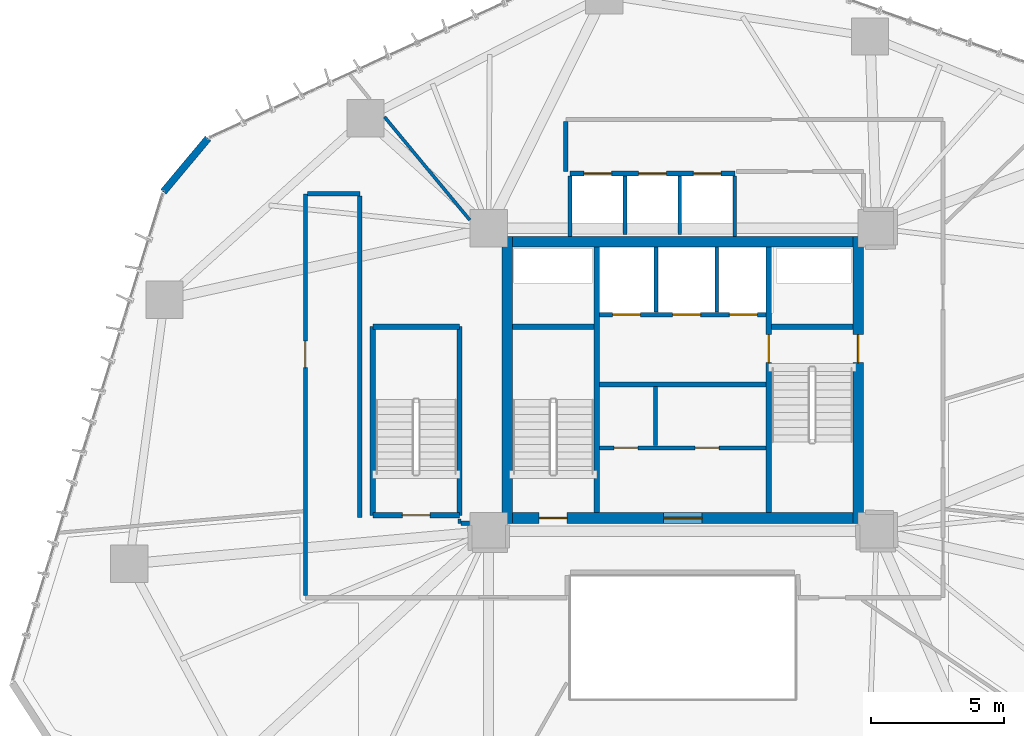
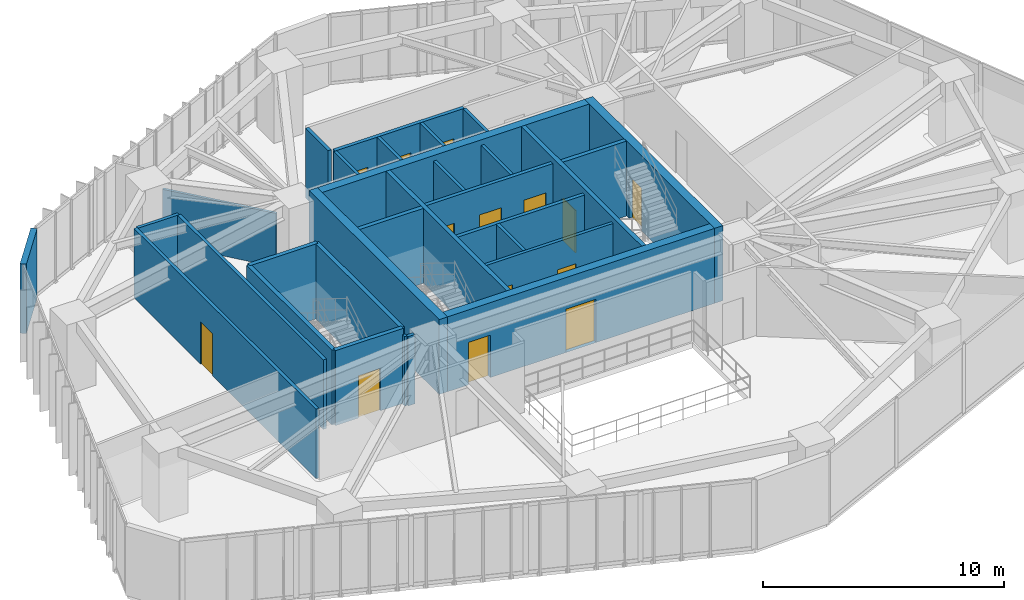
# One storey, part 19 of 24: 31 walls, 14 doors, 14 openings.
"""IFC4 building model written with IfcOpenShell, lengths in metres."""

from ifc_helpers import new_model, si_unit, direction, frame, frame_2d, origin, place, context, subcontext, project, spatial, rectangle, extrude, source, transform, mapped, material, layer, layer_set, type_object, type_shapes, element, fill, save


model = new_model("IFC4")

# Units and contexts
model_context = context("Model", 3, precision=1e-05, world=origin(), true_north=direction((0.0, 1.0)))
body_context = subcontext(model_context, "Body", "Model", "MODEL_VIEW")
ifc_project = project(units=[si_unit("LENGTHUNIT", "METRE"), si_unit("AREAUNIT", "SQUARE_METRE"), si_unit("VOLUMEUNIT", "CUBIC_METRE"), si_unit("PLANEANGLEUNIT", "RADIAN"), si_unit("MASSUNIT", "GRAM", prefix="KILO")], contexts=[model_context])

# Site, building, storey
site_placement = place(None, origin())
site = spatial("IfcSite", under=ifc_project, at=site_placement, CompositionType="ELEMENT")
building_placement = place(site_placement, origin())
building = spatial("IfcBuilding", under=site, at=building_placement, Name="Talar Marvaseh", CompositionType="ELEMENT")
storey_placement = place(building_placement, frame((0.0, 0.0, 31.60009765625)))
storey = spatial("IfcBuildingStorey", under=building, at=storey_placement, Name="L07", CompositionType="ELEMENT", Elevation=31.60009765625)

# Wall
ifc_material_1 = material(Name="Precast concrete C45/55", Category="concrete")
ifc_layer_1 = layer(ifc_material_1, 0.27001953125)
ifc_layer_set_1 = layer_set([ifc_layer_1], Name="Precast concrete C45/55")
wall_type_1 = type_object("IfcWallType", Name="Chamfered Hexagonal Corner Pier Wall Z1 270", PredefinedType="SOLIDWALL", material=ifc_layer_set_1)
wall_1_placement = place(storey_placement, frame((6.457275390625, 38.270263671875, 0.0), z_axis=(0.0, 0.0, 1.0), x_axis=(0.641090144817, 0.767465586341, 0.0)))
element("IfcWall", 1, at=wall_1_placement, inside=storey, type_object=wall_type_1, Name="L07 Chamfered Corner Limestone Pier 2", PredefinedType="SOLIDWALL", context=body_context, shape_type="SweptSolid", body=[
    extrude(rectangle(XDim=2.62353515625, YDim=0.27001953125, at=frame_2d((1.311767578125, 0.0))), origin(), (0.0, 0.0, 1.0), 3.52001953125),
])

# Wall, openings, doors
ifc_material_2 = material(Name="Gypsum Board Partition Assembly")
ifc_layer_2 = layer(ifc_material_2, 0.155029296875)
ifc_layer_set_2 = layer_set([ifc_layer_2], Name="Gypsum Board Partition Assembly")
wall_type_2 = type_object("IfcWallType", Name="Corridor Fire-Rated Acoustic Partition 155", PredefinedType="PARTITIONING", material=ifc_layer_set_2)
wall_2_placement = place(storey_placement, frame((22.865966796875, 28.639892578125, 0.0), z_axis=(0.0, 0.0, 1.0), x_axis=(1.0, 0.0, 0.0)))
wall_2 = element("IfcWall", 2, at=wall_2_placement, inside=storey, type_object=wall_type_2, Name="L07 Core BOH Partition", PredefinedType="PARTITIONING", context=body_context, shape_type="SweptSolid", body=[
    extrude(rectangle(XDim=6.26806640625, YDim=0.155029296875, at=frame_2d((3.134033203125, 0.0))), origin(), (0.0, 0.0, 1.0), 3.52001953125),
])
opening_1_placement = place(wall_2_placement, frame((0.550048828125, 0.0, 0.0)))
opening_1 = element("IfcOpeningElement", 3, at=opening_1_placement, cuts=wall_2, Name="Opening DR-BOH090", PredefinedType="OPENING", context=body_context, shape_type="SweptSolid", body=[
    extrude(rectangle(XDim=0.89990234375, YDim=2.10009765625, at=frame_2d((0.449951171875, 1.050048828125))), frame((0.0, 0.08740234375, 0.0), z_axis=(0.0, -1.0, 0.0), x_axis=(1.0, 0.0, 0.0)), (0.0, 0.0, 1.0), 0.175048828125),
])
opening_2_placement = place(wall_2_placement, frame((3.60009765625, 0.0, 0.0)))
opening_2 = element("IfcOpeningElement", 4, at=opening_2_placement, cuts=wall_2, Name="Opening DR-BOH090", PredefinedType="OPENING", context=body_context, shape_type="SweptSolid", body=[
    extrude(rectangle(XDim=0.89990234375, YDim=2.10009765625, at=frame_2d((0.449951171875, 1.050048828125))), frame((0.0, 0.08740234375, 0.0), z_axis=(0.0, -1.0, 0.0), x_axis=(1.0, 0.0, 0.0)), (0.0, 0.0, 1.0), 0.175048828125),
])
ifc_material_3 = material(Name="Fire-Rated Steel Door Leaf", Category="steel")
door_type_1 = type_object("IfcDoorType", Name="Core Back-of-House Service Door 900x2100", OperationType="NOTDEFINED", PredefinedType="DOOR", material=ifc_material_3)
shared_shape_1 = source(origin(), body_context, "Body", "SweptSolid", [
    extrude(rectangle(XDim=0.89990234375, YDim=2.10009765625, at=frame_2d((0.449951171875, 1.050048828125))), frame((0.0, 0.02490234375, 0.0), z_axis=(0.0, -1.0, 0.0), x_axis=(1.0, 0.0, 0.0)), (0.0, 0.0, 1.0), 0.050048828125),
])
type_shapes(door_type_1, [shared_shape_1])
door_1_placement = place(opening_1_placement, origin())
door_1 = element("IfcDoor", 5, at=door_1_placement, inside=storey, type_object=door_type_1, Name="L07 Cleaner Janitor Store Door", OperationType="SINGLE_SWING_LEFT", OverallHeight=2.10009765625, OverallWidth=0.89990234375, PredefinedType="DOOR", context=body_context, shape_type="MappedRepresentation", body=[
    mapped(shared_shape_1, transform((0.0, 0.0, 0.0), x_axis=(1.0, 0.0, 0.0), y_axis=(0.0, 1.0, 0.0), z_axis=(0.0, 0.0, 1.0), scale=1.0)),
])
fill(opening_1, door_1)
door_2_placement = place(opening_2_placement, origin())
door_2 = element("IfcDoor", 6, at=door_2_placement, inside=storey, type_object=door_type_1, Name="L07 Plant Core Electrical Meter Room Door", OperationType="SINGLE_SWING_RIGHT", OverallHeight=2.10009765625, OverallWidth=0.89990234375, PredefinedType="DOOR", context=body_context, shape_type="MappedRepresentation", body=[
    mapped(shared_shape_1, transform((0.0, 0.0, 0.0), x_axis=(1.0, 0.0, 0.0), y_axis=(0.0, 1.0, 0.0), z_axis=(0.0, 0.0, 1.0), scale=1.0)),
])
fill(opening_2, door_2)

# Wall
wall_3_placement = place(storey_placement, frame((24.97998046875, 28.719970703125, 0.0), z_axis=(0.0, 0.0, 1.0), x_axis=(0.0, 1.0, 0.0)))
element("IfcWall", 7, at=wall_3_placement, inside=storey, type_object=wall_type_2, Name="L07 Core BOH Partition", PredefinedType="PARTITIONING", context=body_context, shape_type="SweptSolid", body=[
    extrude(rectangle(XDim=2.219970703125, YDim=0.155029296875, at=frame_2d((1.10986328125, 0.0))), origin(), (0.0, 0.0, 1.0), 3.52001953125),
])

# Wall, opening, door
wall_4_placement = place(storey_placement, frame((11.800048828125, 23.08349609375, 0.0), z_axis=(0.0, 0.0, 1.0), x_axis=(0.0, 1.0, 0.0)))
wall_4 = element("IfcWall", 8, at=wall_4_placement, inside=storey, type_object=wall_type_2, Name="L07 Interior Partition Wall", PredefinedType="PARTITIONING", context=body_context, shape_type="SweptSolid", body=[
    extrude(rectangle(XDim=15.116455078125, YDim=0.155029296875, at=frame_2d((7.55810546875, 0.0))), origin(), (0.0, 0.0, 1.0), 3.52001953125),
])
opening_3_placement = place(wall_4_placement, frame((8.5751953125, 0.0, 0.0)))
opening_3 = element("IfcOpeningElement", 9, at=opening_3_placement, cuts=wall_4, Name="Opening DR-RM100", PredefinedType="OPENING", context=body_context, shape_type="SweptSolid", body=[
    extrude(rectangle(XDim=1.0, YDim=2.14990234375, at=frame_2d((0.5, 1.074951171875))), frame((0.0, 0.08740234375, 0.0), z_axis=(0.0, -1.0, 0.0), x_axis=(1.0, 0.0, 0.0)), (0.0, 0.0, 1.0), 0.175048828125),
])
ifc_material_4 = material(Name="Acoustic Engineered Oak Timber", Category="wood")
door_type_2 = type_object("IfcDoorType", Name="Corridor Fire-Rated Gallery Door 1000x2150", OperationType="NOTDEFINED", PredefinedType="DOOR", material=ifc_material_4)
shared_shape_2 = source(origin(), body_context, "Body", "SweptSolid", [
    extrude(rectangle(XDim=1.0, YDim=2.14990234375, at=frame_2d((0.5, 1.074951171875))), frame((0.0, 0.02490234375, 0.0), z_axis=(0.0, -1.0, 0.0), x_axis=(1.0, 0.0, 0.0)), (0.0, 0.0, 1.0), 0.050048828125),
])
type_shapes(door_type_2, [shared_shape_2])
door_3_placement = place(opening_3_placement, origin())
door_3 = element("IfcDoor", 10, at=door_3_placement, inside=storey, type_object=door_type_2, Name="L07 Cultural Fellowship Office Door", OperationType="SINGLE_SWING_LEFT", OverallHeight=2.14990234375, OverallWidth=1.0, PredefinedType="DOOR", context=body_context, shape_type="MappedRepresentation", body=[
    mapped(shared_shape_2, transform((0.0, 0.0, 0.0), x_axis=(1.0, 0.0, 0.0), y_axis=(0.0, 1.0, 0.0), z_axis=(0.0, 0.0, 1.0), scale=1.0)),
])
fill(opening_3, door_3)

# Walls
wall_5_placement = place(storey_placement, frame((11.883544921875, 38.199951171875, 0.0), z_axis=(0.0, 0.0, 1.0), x_axis=(1.0, 0.0, 0.0)))
element("IfcWall", 11, at=wall_5_placement, inside=storey, type_object=wall_type_2, Name="L07 Interior Partition Wall", PredefinedType="PARTITIONING", context=body_context, shape_type="SweptSolid", body=[
    extrude(rectangle(XDim=1.966552734375, YDim=0.155029296875, at=frame_2d((0.9833984375, 0.0))), origin(), (0.0, 0.0, 1.0), 3.52001953125),
])
wall_6_placement = place(storey_placement, frame((13.85009765625, 38.116455078125, 0.0), z_axis=(0.0, 0.0, 1.0), x_axis=(0.0, -1.0, 0.0)))
element("IfcWall", 12, at=wall_6_placement, inside=storey, type_object=wall_type_2, Name="L07 Interior Partition Wall", PredefinedType="PARTITIONING", context=body_context, shape_type="SweptSolid", body=[
    extrude(rectangle(XDim=12.096435546875, YDim=0.155029296875, at=frame_2d((6.04833984375, 0.0))), origin(), (0.0, 0.0, 1.0), 3.52001953125),
])
wall_7_placement = place(storey_placement, frame((17.666015625, 25.800048828125, 0.0), z_axis=(0.0, 0.0, 1.0), x_axis=(1.0, 0.0, 0.0)))
element("IfcWall", 13, at=wall_7_placement, inside=storey, type_object=wall_type_2, Name="L07 Interior Partition Wall", PredefinedType="PARTITIONING", context=body_context, shape_type="SweptSolid", body=[
    extrude(rectangle(XDim=0.319091796875, YDim=0.155029296875, at=frame_2d((0.15966796875, 0.0))), origin(), (0.0, 0.0, 1.0), 3.52001953125),
])
wall_8_placement = place(storey_placement, frame((21.60009765625, 39.0400390625, 0.0), z_axis=(0.0, 0.0, 1.0), x_axis=(0.0, 1.0, 0.0)))
element("IfcWall", 14, at=wall_8_placement, inside=storey, type_object=wall_type_2, Name="L07 Interior Partition Wall", PredefinedType="PARTITIONING", context=body_context, shape_type="SweptSolid", body=[
    extrude(rectangle(XDim=1.87646484375, YDim=0.155029296875, at=frame_2d((0.938232421875, 0.0))), origin(), (0.0, 0.0, 1.0), 3.52001953125),
])
ifc_layer_3 = layer(ifc_material_2, 0.1201171875)
ifc_layer_set_3 = layer_set([ifc_layer_3], Name="Gypsum Board Partition Assembly")
wall_type_3 = type_object("IfcWallType", Name="Demountable Studio Room Partition 120", PredefinedType="PARTITIONING", material=ifc_layer_set_3)
wall_9_placement = place(storey_placement, frame((17.60009765625, 25.96240234375, 0.0), z_axis=(0.0, 0.0, 1.0), x_axis=(0.0, -1.0, 0.0)))
element("IfcWall", 15, at=wall_9_placement, inside=storey, type_object=wall_type_3, Name="L07 Interior Partition Wall", PredefinedType="PARTITIONING", context=body_context, shape_type="SweptSolid", body=[
    extrude(rectangle(XDim=0.1748046875, YDim=0.1201171875, at=frame_2d((0.08740234375, 0.0))), origin(), (0.0, 0.0, 1.0), 3.52001953125),
])
wall_10_placement = place(storey_placement, frame((17.989990234375, 37.2099609375, 0.0), z_axis=(0.0, 0.0, 1.0), x_axis=(-0.63742879538, 0.770509267187, 0.0)))
element("IfcWall", 16, at=wall_10_placement, inside=storey, type_object=wall_type_3, Name="L07 Interior Partition Wall", PredefinedType="PARTITIONING", context=body_context, shape_type="SweptSolid", body=[
    extrude(rectangle(XDim=5.035888671875, YDim=0.1201171875, at=frame_2d((2.51806640625, 0.0))), origin(), (0.0, 0.0, 1.0), 2.721923828125),
])
ifc_layer_4 = layer(ifc_material_1, 0.14501953125)
ifc_layer_set_4 = layer_set([ifc_layer_4], Name="Precast concrete C45/55")
wall_type_4 = type_object("IfcWallType", Name="Fire-Rated Lift Divider Wall 145", PredefinedType="SOLIDWALL", material=ifc_layer_set_4)
for number, where, z_axis, x_axis, name in (
    (17, (25.0, 33.743408203125, 0.0), (0.0, 0.0, 1.0), (0.0, 1.0, 0.0), "L07 FFL-1/FFL-2 Divider"),
    (18, (27.280029296875, 33.743408203125, 0.0), (0.0, 0.0, 1.0), (0.0, 1.0, 0.0), "L07 FFL-2/SVL-1 Divider"),
):
    element("IfcWall", number, at=place(storey_placement, frame(where, z_axis=z_axis, x_axis=x_axis)), inside=storey, type_object=wall_type_4, Name=name, PredefinedType="SOLIDWALL", context=body_context, shape_type="SweptSolid", body=[
        extrude(rectangle(XDim=2.45654296875, YDim=0.14501953125, at=frame_2d((1.228271484375, 0.0))), origin(), (0.0, 0.0, 1.0), 3.52001953125),
    ])
for number, where, z_axis, x_axis, name in (
    (19, (21.760009765625, 36.60009765625, 0.0), (0.0, 0.0, 1.0), (0.0, 1.0, 0.0), "L07 Low-Rise Bank West Wall"),
    (20, (27.9599609375, 36.60009765625, 0.0), (0.0, 0.0, 1.0), (0.0, 1.0, 0.0), "L07 Low-Rise Bank East Wall"),
):
    element("IfcWall", number, at=place(storey_placement, frame(where, z_axis=z_axis, x_axis=x_axis)), inside=storey, type_object=wall_type_4, Name=name, PredefinedType="SOLIDWALL", context=body_context, shape_type="SweptSolid", body=[
        extrude(rectangle(XDim=2.266357421875, YDim=0.14501953125, at=frame_2d((1.13330078125, 0.0))), origin(), (0.0, 0.0, 1.0), 3.52001953125),
    ])
for number, where, z_axis, x_axis, name in (
    (21, (23.830078125, 36.659912109375, 0.0), (0.0, 0.0, 1.0), (0.0, 1.0, 0.0), "L07 PL-L1/PL-L2 Divider"),
    (22, (25.889892578125, 36.659912109375, 0.0), (0.0, 0.0, 1.0), (0.0, 1.0, 0.0), "L07 PL-L2/PL-L3 Divider"),
):
    element("IfcWall", number, at=place(storey_placement, frame(where, z_axis=z_axis, x_axis=x_axis)), inside=storey, type_object=wall_type_4, Name=name, PredefinedType="SOLIDWALL", context=body_context, shape_type="SweptSolid", body=[
        extrude(rectangle(XDim=2.20654296875, YDim=0.14501953125, at=frame_2d((1.103271484375, 0.0))), origin(), (0.0, 0.0, 1.0), 3.52001953125),
    ])

# Wall, openings, doors
ifc_layer_5 = layer(ifc_material_1, 0.175048828125)
ifc_layer_set_5 = layer_set([ifc_layer_5], Name="Precast concrete C45/55")
wall_type_5 = type_object("IfcWallType", Name="Fire-Rated Lift Hoistway Enclosure Wall 175", PredefinedType="SOLIDWALL", material=ifc_layer_set_5)
wall_11_placement = place(storey_placement, frame((22.860107421875, 33.64990234375, 0.0), z_axis=(0.0, 0.0, 1.0), x_axis=(1.0, 0.0, 0.0)))
wall_11 = element("IfcWall", 23, at=wall_11_placement, inside=storey, type_object=wall_type_5, Name="L07 Firefighting and Service Lift Front Wall", PredefinedType="SOLIDWALL", context=body_context, shape_type="SweptSolid", body=[
    extrude(rectangle(XDim=6.27978515625, YDim=0.175048828125, at=frame_2d((3.139892578125, 0.0))), origin(), (0.0, 0.0, 1.0), 3.52001953125),
])
opening_4_placement = place(wall_11_placement, frame((0.5, 0.0, 0.0)))
opening_4 = element("IfcOpeningElement", 24, at=opening_4_placement, cuts=wall_11, Name="Opening LD-FF1", PredefinedType="OPENING", context=body_context, shape_type="SweptSolid", body=[
    extrude(rectangle(XDim=1.050048828125, YDim=2.14990234375, at=frame_2d((0.52490234375, 1.074951171875))), frame((0.0, 0.09765625, 0.0), z_axis=(0.0, -1.0, 0.0), x_axis=(1.0, 0.0, 0.0)), (0.0, 0.0, 1.0), 0.195068359375),
])
opening_5_placement = place(wall_11_placement, frame((2.760009765625, 0.0, 0.0)))
opening_5 = element("IfcOpeningElement", 25, at=opening_5_placement, cuts=wall_11, Name="Opening LD-FF2", PredefinedType="OPENING", context=body_context, shape_type="SweptSolid", body=[
    extrude(rectangle(XDim=1.050048828125, YDim=2.14990234375, at=frame_2d((0.52490234375, 1.074951171875))), frame((0.0, 0.09765625, 0.0), z_axis=(0.0, -1.0, 0.0), x_axis=(1.0, 0.0, 0.0)), (0.0, 0.0, 1.0), 0.195068359375),
])
opening_6_placement = place(wall_11_placement, frame((4.89990234375, 0.0, 0.0)))
opening_6 = element("IfcOpeningElement", 26, at=opening_6_placement, cuts=wall_11, Name="Opening LD-SV1", PredefinedType="OPENING", context=body_context, shape_type="SweptSolid", body=[
    extrude(rectangle(XDim=1.050048828125, YDim=2.14990234375, at=frame_2d((0.52490234375, 1.074951171875))), frame((0.0, 0.09765625, 0.0), z_axis=(0.0, -1.0, 0.0), x_axis=(1.0, 0.0, 0.0)), (0.0, 0.0, 1.0), 0.195068359375),
])
ifc_material_5 = material(Name="Stainless Steel Grade 316", Category="steel")
door_type_3 = type_object("IfcDoorType", Name="Automatic Sliding Lift Landing Door 1050x2150", OperationType="NOTDEFINED", PredefinedType="DOOR", material=ifc_material_5)
shared_shape_3 = source(origin(), body_context, "Body", "SweptSolid", [
    extrude(rectangle(XDim=1.050048828125, YDim=2.14990234375, at=frame_2d((0.52490234375, 1.074951171875))), frame((0.0, 0.02490234375, 0.0), z_axis=(0.0, -1.0, 0.0), x_axis=(1.0, 0.0, 0.0)), (0.0, 0.0, 1.0), 0.050048828125),
])
type_shapes(door_type_3, [shared_shape_3])
door_4_placement = place(opening_4_placement, origin())
door_4 = element("IfcDoor", 27, at=door_4_placement, inside=storey, type_object=door_type_3, Name="L07 Lift FFL-1 Sliding Landing Door", OperationType="SLIDING_TO_LEFT", OverallHeight=2.14990234375, OverallWidth=1.050048828125, PredefinedType="DOOR", context=body_context, shape_type="MappedRepresentation", body=[
    mapped(shared_shape_3, transform((0.0, 0.0, 0.0), x_axis=(1.0, 0.0, 0.0), y_axis=(0.0, 1.0, 0.0), z_axis=(0.0, 0.0, 1.0), scale=1.0)),
])
fill(opening_4, door_4)
door_5_placement = place(opening_5_placement, origin())
door_5 = element("IfcDoor", 28, at=door_5_placement, inside=storey, type_object=door_type_3, Name="L07 Lift FFL-2 Sliding Landing Door", OperationType="SLIDING_TO_LEFT", OverallHeight=2.14990234375, OverallWidth=1.050048828125, PredefinedType="DOOR", context=body_context, shape_type="MappedRepresentation", body=[
    mapped(shared_shape_3, transform((0.0, 0.0, 0.0), x_axis=(1.0, 0.0, 0.0), y_axis=(0.0, 1.0, 0.0), z_axis=(0.0, 0.0, 1.0), scale=1.0)),
])
fill(opening_5, door_5)
door_6_placement = place(opening_6_placement, origin())
door_6 = element("IfcDoor", 29, at=door_6_placement, inside=storey, type_object=door_type_3, Name="L07 Lift SVL-1 Sliding Landing Door", OperationType="SLIDING_TO_LEFT", OverallHeight=2.14990234375, OverallWidth=1.050048828125, PredefinedType="DOOR", context=body_context, shape_type="MappedRepresentation", body=[
    mapped(shared_shape_3, transform((0.0, 0.0, 0.0), x_axis=(1.0, 0.0, 0.0), y_axis=(0.0, 1.0, 0.0), z_axis=(0.0, 0.0, 1.0), scale=1.0)),
])
fill(opening_6, door_6)

# Wall
wall_12_placement = place(storey_placement, frame((22.860107421875, 31.02001953125, 0.0), z_axis=(0.0, 0.0, 1.0), x_axis=(1.0, 0.0, 0.0)))
element("IfcWall", 30, at=wall_12_placement, inside=storey, type_object=wall_type_5, Name="L07 Firefighting Lobby South Smoke Wall", PredefinedType="SOLIDWALL", context=body_context, shape_type="SweptSolid", body=[
    extrude(rectangle(XDim=6.27978515625, YDim=0.175048828125, at=frame_2d((3.139892578125, 0.0))), origin(), (0.0, 0.0, 1.0), 3.52001953125),
])

# Wall, openings, doors
wall_13_placement = place(storey_placement, frame((21.760009765625, 38.9599609375, 0.0), z_axis=(0.0, 0.0, 1.0), x_axis=(1.0, 0.0, 0.0)))
wall_13 = element("IfcWall", 31, at=wall_13_placement, inside=storey, type_object=wall_type_5, Name="L07 Low-Rise Lift Bank Front Wall", PredefinedType="SOLIDWALL", context=body_context, shape_type="SweptSolid", body=[
    extrude(rectangle(XDim=6.199951171875, YDim=0.175048828125, at=frame_2d((3.10009765625, 0.0))), origin(), (0.0, 0.0, 1.0), 3.52001953125),
])
opening_7_placement = place(wall_13_placement, frame((0.52001953125, 0.0, 0.0)))
opening_7 = element("IfcOpeningElement", 32, at=opening_7_placement, cuts=wall_13, Name="Opening LD-PLL1", PredefinedType="OPENING", context=body_context, shape_type="SweptSolid", body=[
    extrude(rectangle(XDim=1.050048828125, YDim=2.14990234375, at=frame_2d((0.52490234375, 1.074951171875))), frame((0.0, 0.09765625, 0.0), z_axis=(0.0, -1.0, 0.0), x_axis=(1.0, 0.0, 0.0)), (0.0, 0.0, 1.0), 0.195068359375),
])
opening_8_placement = place(wall_13_placement, frame((2.580078125, 0.0, 0.0)))
opening_8 = element("IfcOpeningElement", 33, at=opening_8_placement, cuts=wall_13, Name="Opening LD-PLL2", PredefinedType="OPENING", context=body_context, shape_type="SweptSolid", body=[
    extrude(rectangle(XDim=1.050048828125, YDim=2.14990234375, at=frame_2d((0.52490234375, 1.074951171875))), frame((0.0, 0.09765625, 0.0), z_axis=(0.0, -1.0, 0.0), x_axis=(1.0, 0.0, 0.0)), (0.0, 0.0, 1.0), 0.195068359375),
])
opening_9_placement = place(wall_13_placement, frame((4.639892578125, 0.0, 0.0)))
opening_9 = element("IfcOpeningElement", 34, at=opening_9_placement, cuts=wall_13, Name="Opening LD-PLL3", PredefinedType="OPENING", context=body_context, shape_type="SweptSolid", body=[
    extrude(rectangle(XDim=1.050048828125, YDim=2.14990234375, at=frame_2d((0.52490234375, 1.074951171875))), frame((0.0, 0.09765625, 0.0), z_axis=(0.0, -1.0, 0.0), x_axis=(1.0, 0.0, 0.0)), (0.0, 0.0, 1.0), 0.195068359375),
])
door_7_placement = place(opening_7_placement, origin())
door_7 = element("IfcDoor", 35, at=door_7_placement, inside=storey, type_object=door_type_3, Name="L07 Lift PL-L1 Sliding Landing Door", OperationType="SLIDING_TO_LEFT", OverallHeight=2.14990234375, OverallWidth=1.050048828125, PredefinedType="DOOR", context=body_context, shape_type="MappedRepresentation", body=[
    mapped(shared_shape_3, transform((0.0, 0.0, 0.0), x_axis=(1.0, 0.0, 0.0), y_axis=(0.0, 1.0, 0.0), z_axis=(0.0, 0.0, 1.0), scale=1.0)),
])
fill(opening_7, door_7)
door_8_placement = place(opening_8_placement, origin())
door_8 = element("IfcDoor", 36, at=door_8_placement, inside=storey, type_object=door_type_3, Name="L07 Lift PL-L2 Sliding Landing Door", OperationType="SLIDING_TO_LEFT", OverallHeight=2.14990234375, OverallWidth=1.050048828125, PredefinedType="DOOR", context=body_context, shape_type="MappedRepresentation", body=[
    mapped(shared_shape_3, transform((0.0, 0.0, 0.0), x_axis=(1.0, 0.0, 0.0), y_axis=(0.0, 1.0, 0.0), z_axis=(0.0, 0.0, 1.0), scale=1.0)),
])
fill(opening_8, door_8)
door_9_placement = place(opening_9_placement, origin())
door_9 = element("IfcDoor", 37, at=door_9_placement, inside=storey, type_object=door_type_3, Name="L07 Lift PL-L3 Sliding Landing Door", OperationType="SLIDING_TO_LEFT", OverallHeight=2.14990234375, OverallWidth=1.050048828125, PredefinedType="DOOR", context=body_context, shape_type="MappedRepresentation", body=[
    mapped(shared_shape_3, transform((0.0, 0.0, 0.0), x_axis=(1.0, 0.0, 0.0), y_axis=(0.0, 1.0, 0.0), z_axis=(0.0, 0.0, 1.0), scale=1.0)),
])
fill(opening_9, door_9)

# Wall
ifc_material_6 = material(Name="Concrete C70/85", Category="concrete")
ifc_layer_6 = layer(ifc_material_6, 0.39990234375)
ifc_layer_set_6 = layer_set([ifc_layer_6], Name="Concrete C70/85")
wall_type_6 = type_object("IfcWallType", Name="Lower Core Reinforced Concrete Shear Wall 400", PredefinedType="SHEAR", material=ifc_layer_set_6)
wall_14_placement = place(storey_placement, frame((19.39990234375, 25.800048828125, 0.0), z_axis=(0.0, 0.0, 1.0), x_axis=(0.0, 1.0, 0.0)))
element("IfcWall", 38, at=wall_14_placement, inside=storey, type_object=wall_type_6, Name="L07 West Core Shear Wall", PredefinedType="SHEAR", context=body_context, shape_type="SweptSolid", body=[
    extrude(rectangle(XDim=10.800048828125, YDim=0.39990234375, at=frame_2d((5.39990234375, 0.0))), origin(), (0.0, 0.0, 1.0), 3.7998046875),
])

# Wall, opening, door
wall_15_placement = place(storey_placement, frame((32.60009765625, 36.60009765625, 0.0), z_axis=(0.0, 0.0, 1.0), x_axis=(0.0, -1.0, 0.0)))
wall_15 = element("IfcWall", 39, at=wall_15_placement, inside=storey, type_object=wall_type_6, Name="L07 East Core Shear Wall", PredefinedType="SHEAR", context=body_context, shape_type="SweptSolid", body=[
    extrude(rectangle(XDim=10.800048828125, YDim=0.39990234375, at=frame_2d((5.39990234375, 0.0))), origin(), (0.0, 0.0, 1.0), 3.7998046875),
])
opening_10_placement = place(wall_15_placement, frame((3.699951171875, 0.0, 0.0)))
opening_10 = element("IfcOpeningElement", 40, at=opening_10_placement, cuts=wall_15, Name="Opening DR-ST105", PredefinedType="OPENING", context=body_context, shape_type="SweptSolid", body=[
    extrude(rectangle(XDim=1.050048828125, YDim=2.14990234375, at=frame_2d((0.52490234375, 1.074951171875))), frame((0.0, 0.2099609375, 0.0), z_axis=(0.0, -1.0, 0.0), x_axis=(1.0, 0.0, 0.0)), (0.0, 0.0, 1.0), 0.419921875),
])
door_type_4 = type_object("IfcDoorType", Name="Protected Exit Stair Fire Door 1050x2150", OperationType="NOTDEFINED", PredefinedType="DOOR", material=ifc_material_3)
shared_shape_4 = source(origin(), body_context, "Body", "SweptSolid", [
    extrude(rectangle(XDim=1.050048828125, YDim=2.14990234375, at=frame_2d((0.52490234375, 1.074951171875))), frame((0.0, 0.02490234375, 0.0), z_axis=(0.0, -1.0, 0.0), x_axis=(1.0, 0.0, 0.0)), (0.0, 0.0, 1.0), 0.050048828125),
])
type_shapes(door_type_4, [shared_shape_4])
door_10_placement = place(opening_10_placement, origin())
door_10 = element("IfcDoor", 41, at=door_10_placement, inside=storey, type_object=door_type_4, Name="L07 Stair ST-2 Corridor Exit Door", OperationType="SINGLE_SWING_LEFT", OverallHeight=2.14990234375, OverallWidth=1.050048828125, PredefinedType="DOOR", context=body_context, shape_type="MappedRepresentation", body=[
    mapped(shared_shape_4, transform((0.0, 0.0, 0.0), x_axis=(1.0, 0.0, 0.0), y_axis=(0.0, 1.0, 0.0), z_axis=(0.0, 0.0, 1.0), scale=1.0)),
])
fill(opening_10, door_10)

# Wall
wall_16_placement = place(storey_placement, frame((19.60009765625, 36.39990234375, 0.0), z_axis=(0.0, 0.0, 1.0), x_axis=(1.0, 0.0, 0.0)))
element("IfcWall", 42, at=wall_16_placement, inside=storey, type_object=wall_type_6, Name="L07 North Core Shear Wall", PredefinedType="SHEAR", context=body_context, shape_type="SweptSolid", body=[
    extrude(rectangle(XDim=12.7998046875, YDim=0.39990234375, at=frame_2d((6.39990234375, 0.0))), origin(), (0.0, 0.0, 1.0), 3.7998046875),
])

# Wall, openings, doors
wall_17_placement = place(storey_placement, frame((32.39990234375, 26.0, 0.0), z_axis=(0.0, 0.0, 1.0), x_axis=(-1.0, 0.0, 0.0)))
wall_17 = element("IfcWall", 43, at=wall_17_placement, inside=storey, type_object=wall_type_6, Name="L07 South Core Shear Wall", PredefinedType="SHEAR", context=body_context, shape_type="SweptSolid", body=[
    extrude(rectangle(XDim=12.7998046875, YDim=0.39990234375, at=frame_2d((6.39990234375, 0.0))), origin(), (0.0, 0.0, 1.0), 3.7998046875),
])
opening_11_placement = place(wall_17_placement, frame((10.75, 0.0, 0.0)))
opening_11 = element("IfcOpeningElement", 44, at=opening_11_placement, cuts=wall_17, Name="Opening DR-ST105", PredefinedType="OPENING", context=body_context, shape_type="SweptSolid", body=[
    extrude(rectangle(XDim=1.050048828125, YDim=2.14990234375, at=frame_2d((0.52490234375, 1.074951171875))), frame((0.0, 0.2099609375, 0.0), z_axis=(0.0, -1.0, 0.0), x_axis=(1.0, 0.0, 0.0)), (0.0, 0.0, 1.0), 0.419921875),
])
opening_12_placement = place(wall_17_placement, frame((5.669921875, 0.0, 0.0)))
opening_12 = element("IfcOpeningElement", 45, at=opening_12_placement, cuts=wall_17, Name="Opening DR-LBY145", PredefinedType="OPENING", context=body_context, shape_type="SweptSolid", body=[
    extrude(rectangle(XDim=1.449951171875, YDim=2.199951171875, at=frame_2d((0.72509765625, 1.10009765625))), frame((0.0, 0.2099609375, 0.0), z_axis=(0.0, -1.0, 0.0), x_axis=(1.0, 0.0, 0.0)), (0.0, 0.0, 1.0), 0.419921875),
])
door_11_placement = place(opening_11_placement, origin())
door_11 = element("IfcDoor", 46, at=door_11_placement, inside=storey, type_object=door_type_4, Name="L07 Stair ST-1 Exit Door", OperationType="SINGLE_SWING_RIGHT", OverallHeight=2.14990234375, OverallWidth=1.050048828125, PredefinedType="DOOR", context=body_context, shape_type="MappedRepresentation", body=[
    mapped(shared_shape_4, transform((0.0, 0.0, 0.0), x_axis=(1.0, 0.0, 0.0), y_axis=(0.0, 1.0, 0.0), z_axis=(0.0, 0.0, 1.0), scale=1.0)),
])
fill(opening_11, door_11)
door_type_5 = type_object("IfcDoorType", Name="Core Lift Lobby Double Smoke Door 1450x2200", OperationType="NOTDEFINED", PredefinedType="DOOR", material=ifc_material_3)
shared_shape_5 = source(origin(), body_context, "Body", "SweptSolid", [
    extrude(rectangle(XDim=1.449951171875, YDim=2.199951171875, at=frame_2d((0.72509765625, 1.10009765625))), frame((0.0, 0.02490234375, 0.0), z_axis=(0.0, -1.0, 0.0), x_axis=(1.0, 0.0, 0.0)), (0.0, 0.0, 1.0), 0.050048828125),
])
type_shapes(door_type_5, [shared_shape_5])
door_12_placement = place(opening_12_placement, origin())
door_12 = element("IfcDoor", 47, at=door_12_placement, inside=storey, type_object=door_type_5, Name="L07 Passenger Lift Lobby Entrance Door", OperationType="DOUBLE_DOOR_SINGLE_SWING", OverallHeight=2.199951171875, OverallWidth=1.449951171875, PredefinedType="DOOR", context=body_context, shape_type="MappedRepresentation", body=[
    mapped(shared_shape_5, transform((0.0, 0.0, 0.0), x_axis=(1.0, 0.0, 0.0), y_axis=(0.0, 1.0, 0.0), z_axis=(0.0, 0.0, 1.0), scale=1.0)),
])
fill(opening_12, door_12)

# Wall
ifc_material_7 = material(Name="Concrete C50/60", Category="concrete")
ifc_layer_7 = layer(ifc_material_7, 0.199951171875)
ifc_layer_set_7 = layer_set([ifc_layer_7], Name="Concrete C50/60")
wall_type_7 = type_object("IfcWallType", Name="Stair Shaft Structural Concrete Shear Wall 200", PredefinedType="SHEAR", material=ifc_layer_set_7)
wall_18_placement = place(storey_placement, frame((22.760009765625, 26.199951171875, 0.0), z_axis=(0.0, 0.0, 1.0), x_axis=(0.0, 1.0, 0.0)))
element("IfcWall", 48, at=wall_18_placement, inside=storey, type_object=wall_type_7, Name="L07 Core West Stair Shear Wall", PredefinedType="SHEAR", context=body_context, shape_type="SweptSolid", body=[
    extrude(rectangle(XDim=10.0, YDim=0.199951171875, at=frame_2d((5.0, 0.0))), origin(), (0.0, 0.0, 1.0), 3.7998046875),
])

# Wall, opening, door
wall_19_placement = place(storey_placement, frame((29.239990234375, 26.199951171875, 0.0), z_axis=(0.0, 0.0, 1.0), x_axis=(0.0, 1.0, 0.0)))
wall_19 = element("IfcWall", 49, at=wall_19_placement, inside=storey, type_object=wall_type_7, Name="L07 Core East Stair Shear Wall", PredefinedType="SHEAR", context=body_context, shape_type="SweptSolid", body=[
    extrude(rectangle(XDim=10.0, YDim=0.199951171875, at=frame_2d((5.0, 0.0))), origin(), (0.0, 0.0, 1.0), 3.7998046875),
])
opening_13_placement = place(wall_19_placement, frame((5.64990234375, 0.0, 0.0)))
opening_13 = element("IfcOpeningElement", 50, at=opening_13_placement, cuts=wall_19, Name="Opening DR-ST105", PredefinedType="OPENING", context=body_context, shape_type="SweptSolid", body=[
    extrude(rectangle(XDim=1.050048828125, YDim=2.14990234375, at=frame_2d((0.52490234375, 1.074951171875))), frame((0.0, 0.10986328125, 0.0), z_axis=(0.0, -1.0, 0.0), x_axis=(1.0, 0.0, 0.0)), (0.0, 0.0, 1.0), 0.219970703125),
])
door_13_placement = place(opening_13_placement, origin())
door_13 = element("IfcDoor", 51, at=door_13_placement, inside=storey, type_object=door_type_4, Name="L07 Firefighting Lobby to Stair ST-2 Door", OperationType="SINGLE_SWING_LEFT", OverallHeight=2.14990234375, OverallWidth=1.050048828125, PredefinedType="DOOR", context=body_context, shape_type="MappedRepresentation", body=[
    mapped(shared_shape_4, transform((0.0, 0.0, 0.0), x_axis=(1.0, 0.0, 0.0), y_axis=(0.0, 1.0, 0.0), z_axis=(0.0, 0.0, 1.0), scale=1.0)),
])
fill(opening_13, door_13)

# Walls
for number, where, z_axis, x_axis, name in (
    (52, (19.60009765625, 33.199951171875, 0.0), (0.0, 0.0, 1.0), (1.0, 0.0, 0.0), "L07 Stair ST-1 North Shear Wall"),
    (53, (29.340087890625, 33.199951171875, 0.0), (0.0, 0.0, 1.0), (1.0, 0.0, 0.0), "L07 Stair ST-2 North Shear Wall"),
):
    element("IfcWall", number, at=place(storey_placement, frame(where, z_axis=z_axis, x_axis=x_axis)), inside=storey, type_object=wall_type_7, Name=name, PredefinedType="SHEAR", context=body_context, shape_type="SweptSolid", body=[
        extrude(rectangle(XDim=3.059814453125, YDim=0.199951171875, at=frame_2d((1.52978515625, 0.0))), origin(), (0.0, 0.0, 1.0), 3.7998046875),
    ])

# Wall, opening, door
wall_20_placement = place(storey_placement, frame((17.60009765625, 26.10009765625, 0.0), z_axis=(0.0, 0.0, 1.0), x_axis=(-1.0, 0.0, 0.0)))
wall_20 = element("IfcWall", 54, at=wall_20_placement, inside=storey, type_object=wall_type_7, Name="L07 Stair ST-3 South Shear Wall", PredefinedType="SHEAR", context=body_context, shape_type="SweptSolid", body=[
    extrude(rectangle(XDim=3.260009765625, YDim=0.199951171875, at=frame_2d((1.6298828125, 0.0))), origin(), (0.0, 0.0, 1.0), 3.7998046875),
])
opening_14_placement = place(wall_20_placement, frame((1.10009765625, 0.0, 0.0)))
opening_14 = element("IfcOpeningElement", 55, at=opening_14_placement, cuts=wall_20, Name="Opening DR-ST105", PredefinedType="OPENING", context=body_context, shape_type="SweptSolid", body=[
    extrude(rectangle(XDim=1.050048828125, YDim=2.14990234375, at=frame_2d((0.52490234375, 1.074951171875))), frame((0.0, 0.10986328125, 0.0), z_axis=(0.0, -1.0, 0.0), x_axis=(1.0, 0.0, 0.0)), (0.0, 0.0, 1.0), 0.219970703125),
])
door_14_placement = place(opening_14_placement, origin())
door_14 = element("IfcDoor", 56, at=door_14_placement, inside=storey, type_object=door_type_4, Name="L07 Stair ST-3 Exit Door", OperationType="SINGLE_SWING_LEFT", OverallHeight=2.14990234375, OverallWidth=1.050048828125, PredefinedType="DOOR", context=body_context, shape_type="MappedRepresentation", body=[
    mapped(shared_shape_4, transform((0.0, 0.0, 0.0), x_axis=(1.0, 0.0, 0.0), y_axis=(0.0, 1.0, 0.0), z_axis=(0.0, 0.0, 1.0), scale=1.0)),
])
fill(opening_14, door_14)

# Walls
wall_21_placement = place(storey_placement, frame((14.340087890625, 33.199951171875, 0.0), z_axis=(0.0, 0.0, 1.0), x_axis=(1.0, 0.0, 0.0)))
element("IfcWall", 57, at=wall_21_placement, inside=storey, type_object=wall_type_7, Name="L07 Stair ST-3 North Shear Wall", PredefinedType="SHEAR", context=body_context, shape_type="SweptSolid", body=[
    extrude(rectangle(XDim=3.260009765625, YDim=0.199951171875, at=frame_2d((1.6298828125, 0.0))), origin(), (0.0, 0.0, 1.0), 3.7998046875),
])
for number, where, z_axis, x_axis, name in (
    (58, (14.340087890625, 26.10009765625, 0.0), (0.0, 0.0, 1.0), (0.0, 1.0, 0.0), "L07 Stair ST-3 West Shear Wall"),
    (59, (17.60009765625, 26.10009765625, 0.0), (0.0, 0.0, 1.0), (0.0, 1.0, 0.0), "L07 Stair ST-3 East Shear Wall"),
):
    element("IfcWall", number, at=place(storey_placement, frame(where, z_axis=z_axis, x_axis=x_axis)), inside=storey, type_object=wall_type_7, Name=name, PredefinedType="SHEAR", context=body_context, shape_type="SweptSolid", body=[
        extrude(rectangle(XDim=7.099853515625, YDim=0.199951171875, at=frame_2d((3.5498046875, 0.0))), origin(), (0.0, 0.0, 1.0), 3.7998046875),
    ])

save(model, "model.ifc")
